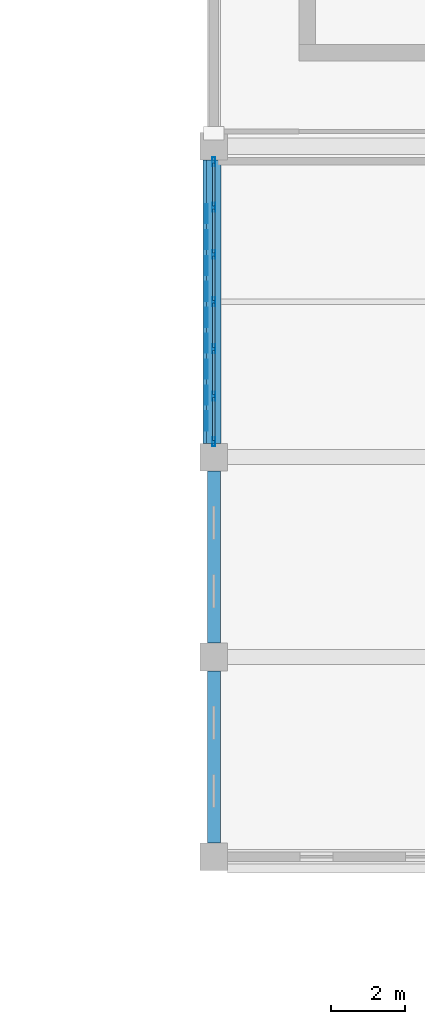
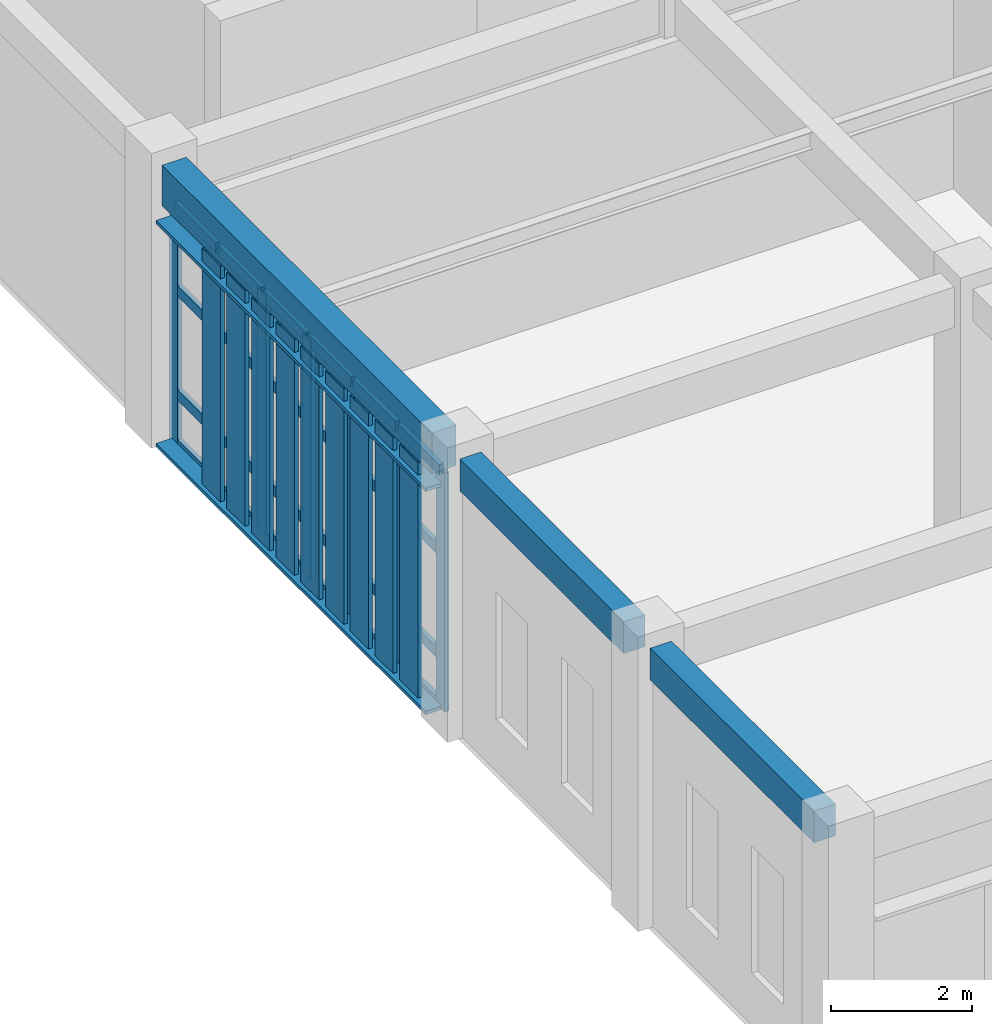
# One storey, part 33 of 77: 42 members, 3 beams, 1 element without a shape of its own.
"""IFC4 building model written with IfcOpenShell, lengths in metres."""

import ifcopenshell
import ifcopenshell.guid

model = None  # the IFC model being written
_history = None  # IfcOwnerHistory: only IFC2X3 demands one
_inside = {}  # id of a spatial element -> (the spatial element, [elements in it])
_under = {}  # id of a project, library or spatial element -> (it, [spatial elements below it])
_declared = {}  # id of a project -> (the project, [libraries it declares])
_typed = {}  # id of a type object -> (the type object, [elements of that type])
_made_of = {}  # id of a material, layer set ... -> (it, [elements and type objects made of it])


def new_model(schema):
    """Start an empty IFC model of exactly this schema.

    Asked for "IFC4X3", IfcOpenShell would pick the latest addendum, in which some entities
    have other attributes; the version numbers below select the first issue.
    IFC2X3 requires an IfcOwnerHistory on every rooted entity: one is made here for all.
    """
    global model, _history
    if schema == "IFC4X3":
        model = ifcopenshell.file(schema_version=(4, 3, 0, 0))
    else:
        model = ifcopenshell.file(schema=schema)
    _inside.clear()
    _under.clear()
    _declared.clear()
    _typed.clear()
    _made_of.clear()
    _history = None
    if model.schema == "IFC2X3":
        org = make("IfcOrganization", Name="unknown")
        user = make(
            "IfcPersonAndOrganization",
            ThePerson=make("IfcPerson", FamilyName="unknown"),
            TheOrganization=org,
        )
        app = make(
            "IfcApplication",
            ApplicationDeveloper=org,
            Version="unknown",
            ApplicationFullName="unknown",
            ApplicationIdentifier="unknown",
        )
        _history = make(
            "IfcOwnerHistory",
            OwningUser=user,
            OwningApplication=app,
            ChangeAction="ADDED",
            CreationDate=0,
        )
    return model


def make(cls, **values):
    """One entity of the class cls with the attributes given. An attribute that is None is left unset."""
    return model.create_entity(
        cls, **{name: value for name, value in values.items() if value is not None}
    )


def rooted(cls, **values):
    """An entity with a GlobalId (a new one), such as an element, a storey or a relation."""
    return make(cls, GlobalId=ifcopenshell.guid.new(), OwnerHistory=_history, **values)


def si_unit(unit_type, name, prefix=None):
    """IfcSIUnit, for example si_unit("LENGTHUNIT", "METRE", prefix="MILLI")."""
    return make("IfcSIUnit", UnitType=unit_type, Prefix=prefix, Name=name)


def assignment(units):
    """IfcUnitAssignment: the units of a project."""
    return None if units is None else make("IfcUnitAssignment", Units=units)


def point(xyz):
    """IfcCartesianPoint."""
    return None if xyz is None else make("IfcCartesianPoint", Coordinates=xyz)


def direction(xyz):
    """IfcDirection."""
    return None if xyz is None else make("IfcDirection", DirectionRatios=xyz)


def frame(location, z_axis=None, x_axis=None):
    """IfcAxis2Placement3D, a coordinate frame: its origin and axes. An axis left out is left unset."""
    return make(
        "IfcAxis2Placement3D",
        Location=point(location),
        Axis=direction(z_axis),
        RefDirection=direction(x_axis),
    )


def frame_2d(location, x_axis=None):
    """IfcAxis2Placement2D, a coordinate frame in the plane: its origin and x axis."""
    return make(
        "IfcAxis2Placement2D", Location=point(location), RefDirection=direction(x_axis)
    )


def origin():
    """The frame at (0, 0, 0) with its axes left unset."""
    return frame((0.0, 0.0, 0.0))


def origin_2d():
    """The frame at (0, 0) in the plane with its x axis left unset."""
    return frame_2d((0.0, 0.0))


def place(relative_to, where):
    """IfcLocalPlacement: puts the frame where relative to a parent placement (None: the world)."""
    return make(
        "IfcLocalPlacement", PlacementRelTo=relative_to, RelativePlacement=where
    )


def context(
    kind, dimensions, precision=None, world=None, true_north=None, identifier=None
):
    """IfcGeometricRepresentationContext, for example the 3D "Model" context."""
    return make(
        "IfcGeometricRepresentationContext",
        ContextIdentifier=identifier,
        ContextType=kind,
        CoordinateSpaceDimension=dimensions,
        Precision=precision,
        WorldCoordinateSystem=world,
        TrueNorth=true_north,
    )


def subcontext(parent, identifier, kind, view, scale=None):
    """IfcGeometricRepresentationSubContext, for example "Body" below "Model"."""
    return make(
        "IfcGeometricRepresentationSubContext",
        ContextIdentifier=identifier,
        ContextType=kind,
        ParentContext=parent,
        TargetScale=scale,
        TargetView=view,
    )


def project(units=None, contexts=None):
    """IfcProject with its units and contexts."""
    return rooted(
        "IfcProject",
        Name="project",
        RepresentationContexts=contexts,
        UnitsInContext=assignment(units),
    )


def spatial(cls, under=None, at=None, **own):
    """A site, building, storey or space (cls), placed at a placement, below another one or the project."""
    s = rooted(cls, ObjectPlacement=at, **own)
    if under is not None:
        _under.setdefault(under.id(), (under, []))[1].append(s)
    return s


def profile(cls, at=None, kind="AREA", **sizes):
    """A parametric profile (cls). Its sizes go by their IFC names, for example OverallWidth=200.0."""
    return make(cls, ProfileType=kind, Position=at, **sizes)


def rectangle(**sizes):
    """IfcRectangleProfileDef."""
    return profile("IfcRectangleProfileDef", **sizes)


def hollow_rectangle(**sizes):
    """IfcRectangleHollowProfileDef."""
    return profile("IfcRectangleHollowProfileDef", **sizes)


def extrude(swept, where, along, depth):
    """IfcExtrudedAreaSolid: the profile swept, set in the frame where, extruded along a direction by depth."""
    return make(
        "IfcExtrudedAreaSolid",
        SweptArea=swept,
        Position=where,
        ExtrudedDirection=direction(along),
        Depth=depth,
    )


def shape(context_of_items, identifier, shape_type, items):
    """IfcShapeRepresentation: the items that make up one representation, for example the "Body"."""
    return make(
        "IfcShapeRepresentation",
        ContextOfItems=context_of_items,
        RepresentationIdentifier=identifier,
        RepresentationType=shape_type,
        Items=items,
    )


def material(Name=None, Category=None):
    """IfcMaterial."""
    return make("IfcMaterial", Name=Name, Category=Category)


def layer(
    of_material, thickness, ventilated=None, Name=None, Category=None, Priority=None
):
    """IfcMaterialLayer: one layer of a wall or slab, of a material (None: an air gap)."""
    return make(
        "IfcMaterialLayer",
        Material=of_material,
        LayerThickness=thickness,
        IsVentilated=ventilated,
        Name=Name,
        Category=Category,
        Priority=Priority,
    )


def layer_set(layers, Name=None):
    """IfcMaterialLayerSet."""
    return make("IfcMaterialLayerSet", MaterialLayers=layers, LayerSetName=Name)


def material_profile(
    of_material, cross_section, Name=None, Category=None, Priority=None
):
    """IfcMaterialProfile: a cross section and its material."""
    return make(
        "IfcMaterialProfile",
        Name=Name,
        Material=of_material,
        Profile=cross_section,
        Priority=Priority,
        Category=Category,
    )


def profile_set(profiles, Name=None, composite=None):
    """IfcMaterialProfileSet."""
    return make(
        "IfcMaterialProfileSet",
        Name=Name,
        MaterialProfiles=profiles,
        CompositeProfile=composite,
    )


def made_of(thing, what):
    """Note that an element or type object is made of a material, layer set ...; save() writes the relation."""
    if what is not None:
        _made_of.setdefault(what.id(), (what, []))[1].append(thing)
    return thing


def type_object(cls, material=None, **own):
    """A type object (cls), such as IfcWallType, which elements share."""
    return made_of(rooted(cls, **own), material)


def element(
    cls,
    number,
    at=None,
    inside=None,
    cuts=None,
    type_object=None,
    material=None,
    context=None,
    identifier="Body",
    shape_type=None,
    held_by="IfcProductDefinitionShape",
    body=None,
    shapes=None,
    **own,
):
    """One element of the class cls, such as IfcWall. Its Tag is "e" and its number.

    at: its placement. inside: the storey or other place that contains it. cuts: it is an
    opening in that element (IfcRelVoidsElement). A single representation is given by context,
    identifier, shape_type and body (its items); several are given by shapes. held_by: the class
    of the entity that holds the representations. save() writes the other relations.
    """
    e = rooted(cls, Tag="e%d" % number, ObjectPlacement=at, **own)
    if body is not None:
        shapes = [shape(context, identifier, shape_type, body)]
    if shapes is not None:
        e.Representation = make(held_by, Representations=shapes)
    if inside is not None:
        _inside.setdefault(inside.id(), (inside, []))[1].append(e)
    if cuts is not None:
        rooted(
            "IfcRelVoidsElement", RelatingBuildingElement=cuts, RelatedOpeningElement=e
        )
    if type_object is not None:
        _typed.setdefault(type_object.id(), (type_object, []))[1].append(e)
    return made_of(e, material)


def aggregate(whole, parts):
    """IfcRelAggregates: a whole, such as a stair, and the parts it consists of."""
    return rooted("IfcRelAggregates", RelatingObject=whole, RelatedObjects=parts)


def save(model, path):
    """Write the relations noted so far, then the file.

    IfcRelAggregates (storeys below a building ...), IfcRelContainedInSpatialStructure (elements
    in a storey), IfcRelDefinesByType, IfcRelAssociatesMaterial and IfcRelDeclares: one each for
    every whole, place, type object, material and project.
    """
    for whole, parts in _under.values():
        aggregate(whole, parts)
    for where, things in _inside.values():
        rooted(
            "IfcRelContainedInSpatialStructure",
            RelatedElements=things,
            RelatingStructure=where,
        )
    for kind, things in _typed.values():
        rooted("IfcRelDefinesByType", RelatedObjects=things, RelatingType=kind)
    for what, things in _made_of.values():
        rooted("IfcRelAssociatesMaterial", RelatedObjects=things, RelatingMaterial=what)
    for by, libraries in _declared.values():
        rooted("IfcRelDeclares", RelatingContext=by, RelatedDefinitions=libraries)
    model.write(path)


model = new_model("IFC4")

# Units and contexts
model_context = context("Model", 3, precision=1e-05, world=origin(), true_north=direction((0.0, 1.0)))
body_context = subcontext(model_context, "Body", "Model", "MODEL_VIEW")
ifc_project = project(units=[si_unit("LENGTHUNIT", "METRE"), si_unit("AREAUNIT", "SQUARE_METRE"), si_unit("VOLUMEUNIT", "CUBIC_METRE"), si_unit("PLANEANGLEUNIT", "RADIAN"), si_unit("MASSUNIT", "GRAM", prefix="KILO")], contexts=[model_context])

# Site, building, storey
site_placement = place(None, origin())
site = spatial("IfcSite", under=ifc_project, at=site_placement, CompositionType="ELEMENT")
building_placement = place(site_placement, origin())
building = spatial("IfcBuilding", under=site, at=building_placement, Name="Krzemoval Escarpment Law Courts", CompositionType="ELEMENT")
storey_placement = place(building_placement, frame((0.0, 0.0, 15.300048828125)))
storey = spatial("IfcBuildingStorey", under=building, at=storey_placement, Name="L03", CompositionType="ELEMENT", Elevation=15.300048828125)

# Beams
ifc_material_1 = material(Name="Concrete C40/50", Category="concrete")
ifc_material_profile_1 = material_profile(ifc_material_1, rectangle(XDim=0.35009765625, YDim=0.550048828125, at=origin_2d()), Name="RCB 350x550")
ifc_profile_set_1 = profile_set([ifc_material_profile_1], Name="Concrete C40/50")
beam_type_1 = type_object("IfcBeamType", Name="BM-RC-350x550", PredefinedType="BEAM", material=ifc_profile_set_1)
beam_1_placement = place(storey_placement, frame((126.0, 74.77490234375, 4.56494140625), z_axis=(0.0, 1.0, 0.0), x_axis=(-1.0, 0.0, 0.0)))
element("IfcBeam", 1, at=beam_1_placement, inside=storey, type_object=beam_type_1, Name="Beam FG-L03-2308", PredefinedType="BEAM", context=body_context, shape_type="SweptSolid", body=[
    extrude(rectangle(XDim=0.35009765625, YDim=0.550048828125, at=origin_2d()), origin(), (0.0, 0.0, 1.0), 4.650146484375),
])
beam_2_placement = place(storey_placement, frame((126.0, 80.175048828125, 4.56494140625), z_axis=(0.0, 1.0, 0.0), x_axis=(-1.0, 0.0, 0.0)))
element("IfcBeam", 2, at=beam_2_placement, inside=storey, type_object=beam_type_1, Name="Beam FG-L03-2309", PredefinedType="BEAM", context=body_context, shape_type="SweptSolid", body=[
    extrude(rectangle(XDim=0.35009765625, YDim=0.550048828125, at=origin_2d()), origin(), (0.0, 0.0, 1.0), 4.64990234375),
])
ifc_material_2 = material(Name="Concrete C40/50", Category="concrete")
ifc_material_profile_2 = material_profile(ifc_material_2, rectangle(XDim=0.39990234375, YDim=0.699951171875, at=origin_2d()), Name="RCB 400x700")
ifc_profile_set_2 = profile_set([ifc_material_profile_2], Name="Concrete C40/50")
beam_type_2 = type_object("IfcBeamType", Name="BM-RC-400x700", PredefinedType="BEAM", material=ifc_profile_set_2)
beam_3_placement = place(storey_placement, frame((126.0, 85.574951171875, 4.489990234375), z_axis=(0.0, 1.0, 0.0), x_axis=(-1.0, 0.0, 0.0)))
element("IfcBeam", 3, at=beam_3_placement, inside=storey, type_object=beam_type_2, Name="Beam FG-L03-2310", PredefinedType="BEAM", context=body_context, shape_type="SweptSolid", body=[
    extrude(rectangle(XDim=0.39990234375, YDim=0.699951171875, at=origin_2d()), origin(), (0.0, 0.0, 1.0), 7.650146484375),
])

# Curtain wall, members
ifc_material_3 = material(Name="Aluminium 6063-T6", Category="aluminium")
ifc_layer = layer(ifc_material_3, 0.239990234375)
ifc_layer_set = layer_set([ifc_layer], Name="Aluminium 6063-T6")
curtain_wall_type = type_object("IfcCurtainWallType", Name="CW-CHMB-4800", PredefinedType="USERDEFINED", material=ifc_layer_set)
curtain_wall_placement = place(storey_placement, origin())
curtain_wall = element("IfcCurtainWall", 4, at=curtain_wall_placement, inside=storey, type_object=curtain_wall_type, Name="Unitised Curtain Wall FCW-L03-122", ObjectType="UNITISED_CURTAIN_WALL", PredefinedType="USERDEFINED")
ifc_material_4 = material(Name="Aluminium 6063-T6", Category="aluminium")
ifc_material_profile_3 = material_profile(ifc_material_4, hollow_rectangle(XDim=0.074951171875, YDim=0.239990234375, WallThickness=0.0048828125, at=origin_2d()), Name="ALU M75x240")
ifc_profile_set_3 = profile_set([ifc_material_profile_3], Name="Aluminium 6063-T6")
member_type_1 = type_object("IfcMemberType", Name="CWM-75x240", PredefinedType="MULLION", material=ifc_profile_set_3)
member_1_placement = place(storey_placement, frame((126.0, 85.612548828125, 0.0), z_axis=(0.0, 0.0, 1.0), x_axis=(-1.0, 0.0, 0.0)))
member_1 = element("IfcMember", 5, at=member_1_placement, type_object=member_type_1, Name="FCW-L03-122 mullion 1", PredefinedType="MULLION", context=body_context, shape_type="SweptSolid", body=[
    extrude(hollow_rectangle(XDim=0.074951171875, YDim=0.239990234375, WallThickness=0.0048828125, at=origin_2d()), origin(), (0.0, 0.0, 1.0), 4.139892578125),
])
member_2_placement = place(storey_placement, frame((126.0, 86.85009765625, 0.0), z_axis=(0.0, 0.0, 1.0), x_axis=(-1.0, 0.0, 0.0)))
member_2 = element("IfcMember", 6, at=member_2_placement, type_object=member_type_1, Name="FCW-L03-122 mullion 2", PredefinedType="MULLION", context=body_context, shape_type="SweptSolid", body=[
    extrude(hollow_rectangle(XDim=0.074951171875, YDim=0.239990234375, WallThickness=0.0048828125, at=origin_2d()), origin(), (0.0, 0.0, 1.0), 4.139892578125),
])
member_3_placement = place(storey_placement, frame((126.0, 88.125, 0.0), z_axis=(0.0, 0.0, 1.0), x_axis=(-1.0, 0.0, 0.0)))
member_3 = element("IfcMember", 7, at=member_3_placement, type_object=member_type_1, Name="FCW-L03-122 mullion 3", PredefinedType="MULLION", context=body_context, shape_type="SweptSolid", body=[
    extrude(hollow_rectangle(XDim=0.074951171875, YDim=0.239990234375, WallThickness=0.0048828125, at=origin_2d()), origin(), (0.0, 0.0, 1.0), 4.139892578125),
])
member_4_placement = place(storey_placement, frame((126.0, 89.39990234375, 0.0), z_axis=(0.0, 0.0, 1.0), x_axis=(-1.0, 0.0, 0.0)))
member_4 = element("IfcMember", 8, at=member_4_placement, type_object=member_type_1, Name="FCW-L03-122 mullion 4", PredefinedType="MULLION", context=body_context, shape_type="SweptSolid", body=[
    extrude(hollow_rectangle(XDim=0.074951171875, YDim=0.239990234375, WallThickness=0.0048828125, at=origin_2d()), origin(), (0.0, 0.0, 1.0), 4.139892578125),
])
member_5_placement = place(storey_placement, frame((126.0, 90.675048828125, 0.0), z_axis=(0.0, 0.0, 1.0), x_axis=(-1.0, 0.0, 0.0)))
member_5 = element("IfcMember", 9, at=member_5_placement, type_object=member_type_1, Name="FCW-L03-122 mullion 5", PredefinedType="MULLION", context=body_context, shape_type="SweptSolid", body=[
    extrude(hollow_rectangle(XDim=0.074951171875, YDim=0.239990234375, WallThickness=0.0048828125, at=origin_2d()), origin(), (0.0, 0.0, 1.0), 4.139892578125),
])
member_6_placement = place(storey_placement, frame((126.0, 91.949951171875, 0.0), z_axis=(0.0, 0.0, 1.0), x_axis=(-1.0, 0.0, 0.0)))
member_6 = element("IfcMember", 10, at=member_6_placement, type_object=member_type_1, Name="FCW-L03-122 mullion 6", PredefinedType="MULLION", context=body_context, shape_type="SweptSolid", body=[
    extrude(hollow_rectangle(XDim=0.074951171875, YDim=0.239990234375, WallThickness=0.0048828125, at=origin_2d()), origin(), (0.0, 0.0, 1.0), 4.139892578125),
])
member_7_placement = place(storey_placement, frame((126.0, 93.1875, 0.0), z_axis=(0.0, 0.0, 1.0), x_axis=(-1.0, 0.0, 0.0)))
member_7 = element("IfcMember", 11, at=member_7_placement, type_object=member_type_1, Name="FCW-L03-122 mullion 7", PredefinedType="MULLION", context=body_context, shape_type="SweptSolid", body=[
    extrude(hollow_rectangle(XDim=0.074951171875, YDim=0.239990234375, WallThickness=0.0048828125, at=origin_2d()), origin(), (0.0, 0.0, 1.0), 4.139892578125),
])
ifc_material_5 = material(Name="Aluminium 6063-T6", Category="aluminium")
ifc_material_profile_4 = material_profile(ifc_material_5, hollow_rectangle(XDim=0.074951171875, YDim=0.179931640625, WallThickness=0.0048828125, at=origin_2d()), Name="ALU T75x180")
ifc_profile_set_4 = profile_set([ifc_material_profile_4], Name="Aluminium 6063-T6")
member_type_2 = type_object("IfcMemberType", Name="CWT-75x180", PredefinedType="USERDEFINED", material=ifc_profile_set_4)
member_8_placement = place(storey_placement, frame((126.0, 85.64990234375, 0.037353515625), z_axis=(0.0, 1.0, 0.0), x_axis=(-1.0, 0.0, 0.0)))
member_8 = element("IfcMember", 12, at=member_8_placement, type_object=member_type_2, Name="FCW-L03-122 transom 1.1", ObjectType="TRANSOM", PredefinedType="USERDEFINED", context=body_context, shape_type="SweptSolid", body=[
    extrude(hollow_rectangle(XDim=0.074951171875, YDim=0.179931640625, WallThickness=0.0048828125, at=origin_2d()), origin(), (0.0, 0.0, 1.0), 1.16259765625),
])
member_9_placement = place(storey_placement, frame((126.0, 85.64990234375, 0.89990234375), z_axis=(0.0, 1.0, 0.0), x_axis=(-1.0, 0.0, 0.0)))
member_9 = element("IfcMember", 13, at=member_9_placement, type_object=member_type_2, Name="FCW-L03-122 transom 1.2", ObjectType="TRANSOM", PredefinedType="USERDEFINED", context=body_context, shape_type="SweptSolid", body=[
    extrude(hollow_rectangle(XDim=0.074951171875, YDim=0.179931640625, WallThickness=0.0048828125, at=origin_2d()), origin(), (0.0, 0.0, 1.0), 1.16259765625),
])
member_10_placement = place(storey_placement, frame((126.0, 85.64990234375, 2.699951171875), z_axis=(0.0, 1.0, 0.0), x_axis=(-1.0, 0.0, 0.0)))
member_10 = element("IfcMember", 14, at=member_10_placement, type_object=member_type_2, Name="FCW-L03-122 transom 1.3", ObjectType="TRANSOM", PredefinedType="USERDEFINED", context=body_context, shape_type="SweptSolid", body=[
    extrude(hollow_rectangle(XDim=0.074951171875, YDim=0.179931640625, WallThickness=0.0048828125, at=origin_2d()), origin(), (0.0, 0.0, 1.0), 1.16259765625),
])
member_11_placement = place(storey_placement, frame((126.0, 85.64990234375, 4.1025390625), z_axis=(0.0, 1.0, 0.0), x_axis=(-1.0, 0.0, 0.0)))
member_11 = element("IfcMember", 15, at=member_11_placement, type_object=member_type_2, Name="FCW-L03-122 transom 1.4", ObjectType="TRANSOM", PredefinedType="USERDEFINED", context=body_context, shape_type="SweptSolid", body=[
    extrude(hollow_rectangle(XDim=0.074951171875, YDim=0.179931640625, WallThickness=0.0048828125, at=origin_2d()), origin(), (0.0, 0.0, 1.0), 1.16259765625),
])
member_12_placement = place(storey_placement, frame((126.0, 86.887451171875, 0.037353515625), z_axis=(0.0, 1.0, 0.0), x_axis=(-1.0, 0.0, 0.0)))
member_12 = element("IfcMember", 16, at=member_12_placement, type_object=member_type_2, Name="FCW-L03-122 transom 2.1", ObjectType="TRANSOM", PredefinedType="USERDEFINED", context=body_context, shape_type="SweptSolid", body=[
    extrude(hollow_rectangle(XDim=0.074951171875, YDim=0.179931640625, WallThickness=0.0048828125, at=origin_2d()), origin(), (0.0, 0.0, 1.0), 1.199951171875),
])
member_13_placement = place(storey_placement, frame((126.0, 86.887451171875, 0.89990234375), z_axis=(0.0, 1.0, 0.0), x_axis=(-1.0, 0.0, 0.0)))
member_13 = element("IfcMember", 17, at=member_13_placement, type_object=member_type_2, Name="FCW-L03-122 transom 2.2", ObjectType="TRANSOM", PredefinedType="USERDEFINED", context=body_context, shape_type="SweptSolid", body=[
    extrude(hollow_rectangle(XDim=0.074951171875, YDim=0.179931640625, WallThickness=0.0048828125, at=origin_2d()), origin(), (0.0, 0.0, 1.0), 1.199951171875),
])
member_14_placement = place(storey_placement, frame((126.0, 86.887451171875, 2.699951171875), z_axis=(0.0, 1.0, 0.0), x_axis=(-1.0, 0.0, 0.0)))
member_14 = element("IfcMember", 18, at=member_14_placement, type_object=member_type_2, Name="FCW-L03-122 transom 2.3", ObjectType="TRANSOM", PredefinedType="USERDEFINED", context=body_context, shape_type="SweptSolid", body=[
    extrude(hollow_rectangle(XDim=0.074951171875, YDim=0.179931640625, WallThickness=0.0048828125, at=origin_2d()), origin(), (0.0, 0.0, 1.0), 1.199951171875),
])
member_15_placement = place(storey_placement, frame((126.0, 86.887451171875, 4.1025390625), z_axis=(0.0, 1.0, 0.0), x_axis=(-1.0, 0.0, 0.0)))
member_15 = element("IfcMember", 19, at=member_15_placement, type_object=member_type_2, Name="FCW-L03-122 transom 2.4", ObjectType="TRANSOM", PredefinedType="USERDEFINED", context=body_context, shape_type="SweptSolid", body=[
    extrude(hollow_rectangle(XDim=0.074951171875, YDim=0.179931640625, WallThickness=0.0048828125, at=origin_2d()), origin(), (0.0, 0.0, 1.0), 1.199951171875),
])
member_16_placement = place(storey_placement, frame((126.0, 88.16259765625, 0.037353515625), z_axis=(0.0, 1.0, 0.0), x_axis=(-1.0, 0.0, 0.0)))
member_16 = element("IfcMember", 20, at=member_16_placement, type_object=member_type_2, Name="FCW-L03-122 transom 3.1", ObjectType="TRANSOM", PredefinedType="USERDEFINED", context=body_context, shape_type="SweptSolid", body=[
    extrude(hollow_rectangle(XDim=0.074951171875, YDim=0.179931640625, WallThickness=0.0048828125, at=origin_2d()), origin(), (0.0, 0.0, 1.0), 1.199951171875),
])
member_17_placement = place(storey_placement, frame((126.0, 88.16259765625, 0.89990234375), z_axis=(0.0, 1.0, 0.0), x_axis=(-1.0, 0.0, 0.0)))
member_17 = element("IfcMember", 21, at=member_17_placement, type_object=member_type_2, Name="FCW-L03-122 transom 3.2", ObjectType="TRANSOM", PredefinedType="USERDEFINED", context=body_context, shape_type="SweptSolid", body=[
    extrude(hollow_rectangle(XDim=0.074951171875, YDim=0.179931640625, WallThickness=0.0048828125, at=origin_2d()), origin(), (0.0, 0.0, 1.0), 1.199951171875),
])
member_18_placement = place(storey_placement, frame((126.0, 88.16259765625, 2.699951171875), z_axis=(0.0, 1.0, 0.0), x_axis=(-1.0, 0.0, 0.0)))
member_18 = element("IfcMember", 22, at=member_18_placement, type_object=member_type_2, Name="FCW-L03-122 transom 3.3", ObjectType="TRANSOM", PredefinedType="USERDEFINED", context=body_context, shape_type="SweptSolid", body=[
    extrude(hollow_rectangle(XDim=0.074951171875, YDim=0.179931640625, WallThickness=0.0048828125, at=origin_2d()), origin(), (0.0, 0.0, 1.0), 1.199951171875),
])
member_19_placement = place(storey_placement, frame((126.0, 88.16259765625, 4.1025390625), z_axis=(0.0, 1.0, 0.0), x_axis=(-1.0, 0.0, 0.0)))
member_19 = element("IfcMember", 23, at=member_19_placement, type_object=member_type_2, Name="FCW-L03-122 transom 3.4", ObjectType="TRANSOM", PredefinedType="USERDEFINED", context=body_context, shape_type="SweptSolid", body=[
    extrude(hollow_rectangle(XDim=0.074951171875, YDim=0.179931640625, WallThickness=0.0048828125, at=origin_2d()), origin(), (0.0, 0.0, 1.0), 1.199951171875),
])
member_20_placement = place(storey_placement, frame((126.0, 89.4375, 0.037353515625), z_axis=(0.0, 1.0, 0.0), x_axis=(-1.0, 0.0, 0.0)))
member_20 = element("IfcMember", 24, at=member_20_placement, type_object=member_type_2, Name="FCW-L03-122 transom 4.1", ObjectType="TRANSOM", PredefinedType="USERDEFINED", context=body_context, shape_type="SweptSolid", body=[
    extrude(hollow_rectangle(XDim=0.074951171875, YDim=0.179931640625, WallThickness=0.0048828125, at=origin_2d()), origin(), (0.0, 0.0, 1.0), 1.199951171875),
])
member_21_placement = place(storey_placement, frame((126.0, 89.4375, 0.89990234375), z_axis=(0.0, 1.0, 0.0), x_axis=(-1.0, 0.0, 0.0)))
member_21 = element("IfcMember", 25, at=member_21_placement, type_object=member_type_2, Name="FCW-L03-122 transom 4.2", ObjectType="TRANSOM", PredefinedType="USERDEFINED", context=body_context, shape_type="SweptSolid", body=[
    extrude(hollow_rectangle(XDim=0.074951171875, YDim=0.179931640625, WallThickness=0.0048828125, at=origin_2d()), origin(), (0.0, 0.0, 1.0), 1.199951171875),
])
member_22_placement = place(storey_placement, frame((126.0, 89.4375, 2.699951171875), z_axis=(0.0, 1.0, 0.0), x_axis=(-1.0, 0.0, 0.0)))
member_22 = element("IfcMember", 26, at=member_22_placement, type_object=member_type_2, Name="FCW-L03-122 transom 4.3", ObjectType="TRANSOM", PredefinedType="USERDEFINED", context=body_context, shape_type="SweptSolid", body=[
    extrude(hollow_rectangle(XDim=0.074951171875, YDim=0.179931640625, WallThickness=0.0048828125, at=origin_2d()), origin(), (0.0, 0.0, 1.0), 1.199951171875),
])
member_23_placement = place(storey_placement, frame((126.0, 89.4375, 4.1025390625), z_axis=(0.0, 1.0, 0.0), x_axis=(-1.0, 0.0, 0.0)))
member_23 = element("IfcMember", 27, at=member_23_placement, type_object=member_type_2, Name="FCW-L03-122 transom 4.4", ObjectType="TRANSOM", PredefinedType="USERDEFINED", context=body_context, shape_type="SweptSolid", body=[
    extrude(hollow_rectangle(XDim=0.074951171875, YDim=0.179931640625, WallThickness=0.0048828125, at=origin_2d()), origin(), (0.0, 0.0, 1.0), 1.199951171875),
])
member_24_placement = place(storey_placement, frame((126.0, 90.71240234375, 0.037353515625), z_axis=(0.0, 1.0, 0.0), x_axis=(-1.0, 0.0, 0.0)))
member_24 = element("IfcMember", 28, at=member_24_placement, type_object=member_type_2, Name="FCW-L03-122 transom 5.1", ObjectType="TRANSOM", PredefinedType="USERDEFINED", context=body_context, shape_type="SweptSolid", body=[
    extrude(hollow_rectangle(XDim=0.074951171875, YDim=0.179931640625, WallThickness=0.0048828125, at=origin_2d()), origin(), (0.0, 0.0, 1.0), 1.2001953125),
])
member_25_placement = place(storey_placement, frame((126.0, 90.71240234375, 0.89990234375), z_axis=(0.0, 1.0, 0.0), x_axis=(-1.0, 0.0, 0.0)))
member_25 = element("IfcMember", 29, at=member_25_placement, type_object=member_type_2, Name="FCW-L03-122 transom 5.2", ObjectType="TRANSOM", PredefinedType="USERDEFINED", context=body_context, shape_type="SweptSolid", body=[
    extrude(hollow_rectangle(XDim=0.074951171875, YDim=0.179931640625, WallThickness=0.0048828125, at=origin_2d()), origin(), (0.0, 0.0, 1.0), 1.2001953125),
])
member_26_placement = place(storey_placement, frame((126.0, 90.71240234375, 2.699951171875), z_axis=(0.0, 1.0, 0.0), x_axis=(-1.0, 0.0, 0.0)))
member_26 = element("IfcMember", 30, at=member_26_placement, type_object=member_type_2, Name="FCW-L03-122 transom 5.3", ObjectType="TRANSOM", PredefinedType="USERDEFINED", context=body_context, shape_type="SweptSolid", body=[
    extrude(hollow_rectangle(XDim=0.074951171875, YDim=0.179931640625, WallThickness=0.0048828125, at=origin_2d()), origin(), (0.0, 0.0, 1.0), 1.2001953125),
])
member_27_placement = place(storey_placement, frame((126.0, 90.71240234375, 4.1025390625), z_axis=(0.0, 1.0, 0.0), x_axis=(-1.0, 0.0, 0.0)))
member_27 = element("IfcMember", 31, at=member_27_placement, type_object=member_type_2, Name="FCW-L03-122 transom 5.4", ObjectType="TRANSOM", PredefinedType="USERDEFINED", context=body_context, shape_type="SweptSolid", body=[
    extrude(hollow_rectangle(XDim=0.074951171875, YDim=0.179931640625, WallThickness=0.0048828125, at=origin_2d()), origin(), (0.0, 0.0, 1.0), 1.2001953125),
])
member_28_placement = place(storey_placement, frame((126.0, 91.987548828125, 0.037353515625), z_axis=(0.0, 1.0, 0.0), x_axis=(-1.0, 0.0, 0.0)))
member_28 = element("IfcMember", 32, at=member_28_placement, type_object=member_type_2, Name="FCW-L03-122 transom 6.1", ObjectType="TRANSOM", PredefinedType="USERDEFINED", context=body_context, shape_type="SweptSolid", body=[
    extrude(hollow_rectangle(XDim=0.074951171875, YDim=0.179931640625, WallThickness=0.0048828125, at=origin_2d()), origin(), (0.0, 0.0, 1.0), 1.162353515625),
])
member_29_placement = place(storey_placement, frame((126.0, 91.987548828125, 0.89990234375), z_axis=(0.0, 1.0, 0.0), x_axis=(-1.0, 0.0, 0.0)))
member_29 = element("IfcMember", 33, at=member_29_placement, type_object=member_type_2, Name="FCW-L03-122 transom 6.2", ObjectType="TRANSOM", PredefinedType="USERDEFINED", context=body_context, shape_type="SweptSolid", body=[
    extrude(hollow_rectangle(XDim=0.074951171875, YDim=0.179931640625, WallThickness=0.0048828125, at=origin_2d()), origin(), (0.0, 0.0, 1.0), 1.162353515625),
])
member_30_placement = place(storey_placement, frame((126.0, 91.987548828125, 2.699951171875), z_axis=(0.0, 1.0, 0.0), x_axis=(-1.0, 0.0, 0.0)))
member_30 = element("IfcMember", 34, at=member_30_placement, type_object=member_type_2, Name="FCW-L03-122 transom 6.3", ObjectType="TRANSOM", PredefinedType="USERDEFINED", context=body_context, shape_type="SweptSolid", body=[
    extrude(hollow_rectangle(XDim=0.074951171875, YDim=0.179931640625, WallThickness=0.0048828125, at=origin_2d()), origin(), (0.0, 0.0, 1.0), 1.162353515625),
])
member_31_placement = place(storey_placement, frame((126.0, 91.987548828125, 4.1025390625), z_axis=(0.0, 1.0, 0.0), x_axis=(-1.0, 0.0, 0.0)))
member_31 = element("IfcMember", 35, at=member_31_placement, type_object=member_type_2, Name="FCW-L03-122 transom 6.4", ObjectType="TRANSOM", PredefinedType="USERDEFINED", context=body_context, shape_type="SweptSolid", body=[
    extrude(hollow_rectangle(XDim=0.074951171875, YDim=0.179931640625, WallThickness=0.0048828125, at=origin_2d()), origin(), (0.0, 0.0, 1.0), 1.162353515625),
])
aggregate(curtain_wall, [member_1, member_2, member_3, member_4, member_5, member_6, member_7, member_8, member_9, member_10, member_11, member_12, member_13, member_14, member_15, member_16, member_17, member_18, member_19, member_20, member_21, member_22, member_23, member_24, member_25, member_26, member_27, member_28, member_29, member_30, member_31])

# Members
ifc_material_6 = material(Name="Anodised Aluminium Alloy 6063-T6", Category="aluminium")
ifc_material_profile_5 = material_profile(ifc_material_6, hollow_rectangle(XDim=0.06005859375, YDim=0.320068359375, WallThickness=0.00390625, at=origin_2d()), Name="ALU LVR 60x320")
ifc_profile_set_5 = profile_set([ifc_material_profile_5], Name="Anodised Aluminium Alloy 6063-T6")
member_type_3 = type_object("IfcMemberType", Name="LVR-ALU-320", PredefinedType="USERDEFINED", material=ifc_profile_set_5)
for number, where, z_axis, x_axis, name in (
    (36, (125.860107421875, 85.574951171875, 0.030029296875), (0.0, 1.0, 0.0), (0.0, 0.0, 1.0), "Sunshade Support Rail FSR-L03-0819"),
    (37, (125.860107421875, 85.574951171875, 3.889892578125), (0.0, 1.0, 0.0), (0.0, 0.0, 1.0), "Sunshade Support Rail FSR-L03-0820"),
):
    element("IfcMember", number, at=place(storey_placement, frame(where, z_axis=z_axis, x_axis=x_axis)), inside=storey, type_object=member_type_3, Name=name, ObjectType="SUNSHADE_LOUVRE", PredefinedType="USERDEFINED", context=body_context, shape_type="SweptSolid", body=[
        extrude(hollow_rectangle(XDim=0.06005859375, YDim=0.320068359375, WallThickness=0.00390625, at=origin_2d()), origin(), (0.0, 0.0, 1.0), 7.650146484375),
    ])
ifc_material_7 = material(Name="Anodised Aluminium Alloy 6063-T6", Category="aluminium")
ifc_material_profile_6 = material_profile(ifc_material_7, hollow_rectangle(XDim=0.06494140625, YDim=0.52001953125, WallThickness=0.00439453125, at=origin_2d()), Name="ALU LVR 65x520")
ifc_profile_set_6 = profile_set([ifc_material_profile_6], Name="Anodised Aluminium Alloy 6063-T6")
member_type_4 = type_object("IfcMemberType", Name="LVR-ALU-520", PredefinedType="USERDEFINED", material=ifc_profile_set_6)
for number, where, z_axis, x_axis, name in (
    (38, (125.800048828125, 86.175048828125, 0.06005859375), (0.0, 0.0, 1.0), (1.0, 0.0, 0.0), "Sunshade Louvre Fin FLV-L03-0821"),
    (39, (125.800048828125, 86.875, 0.06005859375), (0.0, 0.0, 1.0), (1.0, 0.0, 0.0), "Sunshade Louvre Fin FLV-L03-0822"),
    (40, (125.800048828125, 87.574951171875, 0.06005859375), (0.0, 0.0, 1.0), (1.0, 0.0, 0.0), "Sunshade Louvre Fin FLV-L03-0823"),
    (41, (125.800048828125, 88.27490234375, 0.06005859375), (0.0, 0.0, 1.0), (1.0, 0.0, 0.0), "Sunshade Louvre Fin FLV-L03-0824"),
    (42, (125.800048828125, 88.97509765625, 0.06005859375), (0.0, 0.0, 1.0), (1.0, 0.0, 0.0), "Sunshade Louvre Fin FLV-L03-0825"),
    (43, (125.800048828125, 89.675048828125, 0.06005859375), (0.0, 0.0, 1.0), (1.0, 0.0, 0.0), "Sunshade Louvre Fin FLV-L03-0826"),
    (44, (125.800048828125, 90.375, 0.06005859375), (0.0, 0.0, 1.0), (1.0, 0.0, 0.0), "Sunshade Louvre Fin FLV-L03-0827"),
    (45, (125.800048828125, 91.074951171875, 0.06005859375), (0.0, 0.0, 1.0), (1.0, 0.0, 0.0), "Sunshade Louvre Fin FLV-L03-0828"),
    (46, (125.800048828125, 91.77490234375, 0.06005859375), (0.0, 0.0, 1.0), (1.0, 0.0, 0.0), "Sunshade Louvre Fin FLV-L03-0829"),
):
    element("IfcMember", number, at=place(storey_placement, frame(where, z_axis=z_axis, x_axis=x_axis)), inside=storey, type_object=member_type_4, Name=name, ObjectType="SUNSHADE_LOUVRE", PredefinedType="USERDEFINED", context=body_context, shape_type="SweptSolid", body=[
        extrude(hollow_rectangle(XDim=0.06494140625, YDim=0.52001953125, WallThickness=0.00439453125, at=origin_2d()), origin(), (0.0, 0.0, 1.0), 4.079833984375),
    ])

save(model, "model.ifc")
